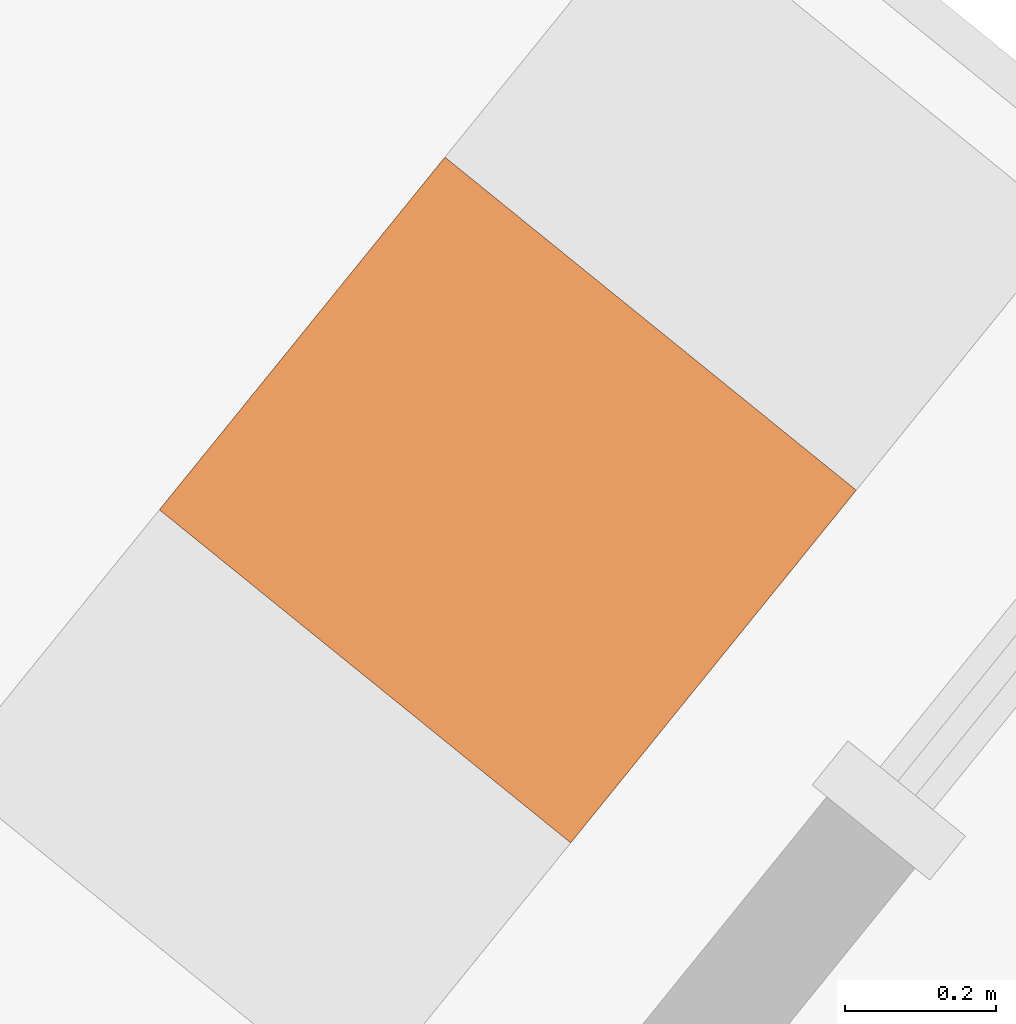
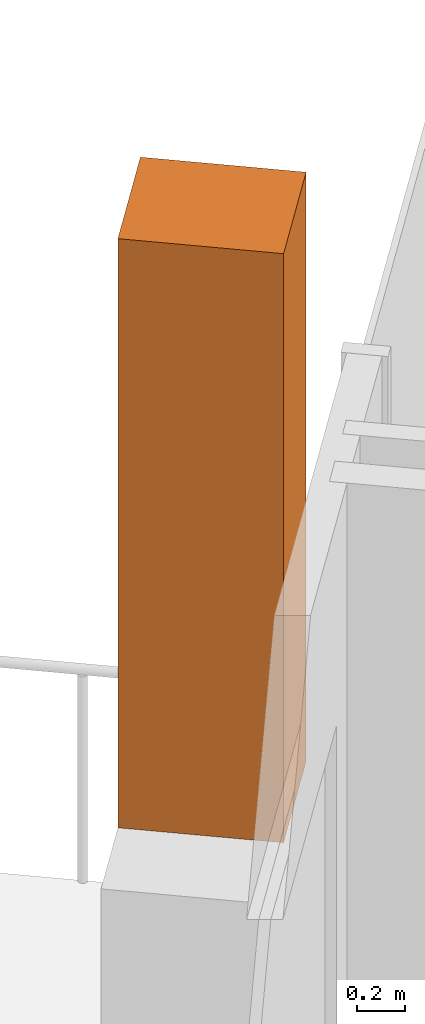
# One storey, part 21 of 21: 1 geographic element.
"""IFC4 building model written with IfcOpenShell, lengths in metres."""

import ifcopenshell
import ifcopenshell.guid

model = None  # the IFC model being written
_history = None  # IfcOwnerHistory: only IFC2X3 demands one
_inside = {}  # id of a spatial element -> (the spatial element, [elements in it])
_under = {}  # id of a project, library or spatial element -> (it, [spatial elements below it])
_declared = {}  # id of a project -> (the project, [libraries it declares])
_typed = {}  # id of a type object -> (the type object, [elements of that type])
_made_of = {}  # id of a material, layer set ... -> (it, [elements and type objects made of it])


def new_model(schema):
    """Start an empty IFC model of exactly this schema.

    Asked for "IFC4X3", IfcOpenShell would pick the latest addendum, in which some entities
    have other attributes; the version numbers below select the first issue.
    IFC2X3 requires an IfcOwnerHistory on every rooted entity: one is made here for all.
    """
    global model, _history
    if schema == "IFC4X3":
        model = ifcopenshell.file(schema_version=(4, 3, 0, 0))
    else:
        model = ifcopenshell.file(schema=schema)
    _inside.clear()
    _under.clear()
    _declared.clear()
    _typed.clear()
    _made_of.clear()
    _history = None
    if model.schema == "IFC2X3":
        org = make("IfcOrganization", Name="unknown")
        user = make(
            "IfcPersonAndOrganization",
            ThePerson=make("IfcPerson", FamilyName="unknown"),
            TheOrganization=org,
        )
        app = make(
            "IfcApplication",
            ApplicationDeveloper=org,
            Version="unknown",
            ApplicationFullName="unknown",
            ApplicationIdentifier="unknown",
        )
        _history = make(
            "IfcOwnerHistory",
            OwningUser=user,
            OwningApplication=app,
            ChangeAction="ADDED",
            CreationDate=0,
        )
    return model


def make(cls, **values):
    """One entity of the class cls with the attributes given. An attribute that is None is left unset."""
    return model.create_entity(
        cls, **{name: value for name, value in values.items() if value is not None}
    )


def rooted(cls, **values):
    """An entity with a GlobalId (a new one), such as an element, a storey or a relation."""
    return make(cls, GlobalId=ifcopenshell.guid.new(), OwnerHistory=_history, **values)


def si_unit(unit_type, name, prefix=None):
    """IfcSIUnit, for example si_unit("LENGTHUNIT", "METRE", prefix="MILLI")."""
    return make("IfcSIUnit", UnitType=unit_type, Prefix=prefix, Name=name)


def assignment(units):
    """IfcUnitAssignment: the units of a project."""
    return None if units is None else make("IfcUnitAssignment", Units=units)


def point(xyz):
    """IfcCartesianPoint."""
    return None if xyz is None else make("IfcCartesianPoint", Coordinates=xyz)


def direction(xyz):
    """IfcDirection."""
    return None if xyz is None else make("IfcDirection", DirectionRatios=xyz)


def frame(location, z_axis=None, x_axis=None):
    """IfcAxis2Placement3D, a coordinate frame: its origin and axes. An axis left out is left unset."""
    return make(
        "IfcAxis2Placement3D",
        Location=point(location),
        Axis=direction(z_axis),
        RefDirection=direction(x_axis),
    )


def frame_2d(location, x_axis=None):
    """IfcAxis2Placement2D, a coordinate frame in the plane: its origin and x axis."""
    return make(
        "IfcAxis2Placement2D", Location=point(location), RefDirection=direction(x_axis)
    )


def origin():
    """The frame at (0, 0, 0) with its axes left unset."""
    return frame((0.0, 0.0, 0.0))


def origin_2d():
    """The frame at (0, 0) in the plane with its x axis left unset."""
    return frame_2d((0.0, 0.0))


def place(relative_to, where):
    """IfcLocalPlacement: puts the frame where relative to a parent placement (None: the world)."""
    return make(
        "IfcLocalPlacement", PlacementRelTo=relative_to, RelativePlacement=where
    )


def context(
    kind, dimensions, precision=None, world=None, true_north=None, identifier=None
):
    """IfcGeometricRepresentationContext, for example the 3D "Model" context."""
    return make(
        "IfcGeometricRepresentationContext",
        ContextIdentifier=identifier,
        ContextType=kind,
        CoordinateSpaceDimension=dimensions,
        Precision=precision,
        WorldCoordinateSystem=world,
        TrueNorth=true_north,
    )


def subcontext(parent, identifier, kind, view, scale=None):
    """IfcGeometricRepresentationSubContext, for example "Body" below "Model"."""
    return make(
        "IfcGeometricRepresentationSubContext",
        ContextIdentifier=identifier,
        ContextType=kind,
        ParentContext=parent,
        TargetScale=scale,
        TargetView=view,
    )


def project(units=None, contexts=None):
    """IfcProject with its units and contexts."""
    return rooted(
        "IfcProject",
        Name="project",
        RepresentationContexts=contexts,
        UnitsInContext=assignment(units),
    )


def spatial(cls, under=None, at=None, **own):
    """A site, building, storey or space (cls), placed at a placement, below another one or the project."""
    s = rooted(cls, ObjectPlacement=at, **own)
    if under is not None:
        _under.setdefault(under.id(), (under, []))[1].append(s)
    return s


def profile(cls, at=None, kind="AREA", **sizes):
    """A parametric profile (cls). Its sizes go by their IFC names, for example OverallWidth=200.0."""
    return make(cls, ProfileType=kind, Position=at, **sizes)


def rectangle(**sizes):
    """IfcRectangleProfileDef."""
    return profile("IfcRectangleProfileDef", **sizes)


def extrude(swept, where, along, depth):
    """IfcExtrudedAreaSolid: the profile swept, set in the frame where, extruded along a direction by depth."""
    return make(
        "IfcExtrudedAreaSolid",
        SweptArea=swept,
        Position=where,
        ExtrudedDirection=direction(along),
        Depth=depth,
    )


def shape(context_of_items, identifier, shape_type, items):
    """IfcShapeRepresentation: the items that make up one representation, for example the "Body"."""
    return make(
        "IfcShapeRepresentation",
        ContextOfItems=context_of_items,
        RepresentationIdentifier=identifier,
        RepresentationType=shape_type,
        Items=items,
    )


def source(mapping_origin, context_of_items, identifier, shape_type, items):
    """IfcRepresentationMap: a shape defined once, which mapped items show again and again."""
    return make(
        "IfcRepresentationMap",
        MappingOrigin=mapping_origin,
        MappedRepresentation=shape(context_of_items, identifier, shape_type, items),
    )


def transform(
    local_origin,
    x_axis=None,
    y_axis=None,
    z_axis=None,
    scale=None,
    scale2=None,
    scale3=None,
    uniform=True,
):
    """IfcCartesianTransformationOperator3D, or its non-uniform kind. x_axis, y_axis, z_axis: its Axis1, 2, 3."""
    if uniform:
        return make(
            "IfcCartesianTransformationOperator3D",
            Axis1=direction(x_axis),
            Axis2=direction(y_axis),
            LocalOrigin=point(local_origin),
            Scale=scale,
            Axis3=direction(z_axis),
        )
    return make(
        "IfcCartesianTransformationOperator3DnonUniform",
        Axis1=direction(x_axis),
        Axis2=direction(y_axis),
        LocalOrigin=point(local_origin),
        Scale=scale,
        Axis3=direction(z_axis),
        Scale2=scale2,
        Scale3=scale3,
    )


def mapped(mapping_source, mapping_target):
    """IfcMappedItem: shows the shape of a source again, moved by a transform."""
    return make(
        "IfcMappedItem", MappingSource=mapping_source, MappingTarget=mapping_target
    )


def material(Name=None, Category=None):
    """IfcMaterial."""
    return make("IfcMaterial", Name=Name, Category=Category)


def made_of(thing, what):
    """Note that an element or type object is made of a material, layer set ...; save() writes the relation."""
    if what is not None:
        _made_of.setdefault(what.id(), (what, []))[1].append(thing)
    return thing


def type_object(cls, material=None, **own):
    """A type object (cls), such as IfcWallType, which elements share."""
    return made_of(rooted(cls, **own), material)


def element(
    cls,
    number,
    at=None,
    inside=None,
    cuts=None,
    type_object=None,
    material=None,
    context=None,
    identifier="Body",
    shape_type=None,
    held_by="IfcProductDefinitionShape",
    body=None,
    shapes=None,
    **own,
):
    """One element of the class cls, such as IfcWall. Its Tag is "e" and its number.

    at: its placement. inside: the storey or other place that contains it. cuts: it is an
    opening in that element (IfcRelVoidsElement). A single representation is given by context,
    identifier, shape_type and body (its items); several are given by shapes. held_by: the class
    of the entity that holds the representations. save() writes the other relations.
    """
    e = rooted(cls, Tag="e%d" % number, ObjectPlacement=at, **own)
    if body is not None:
        shapes = [shape(context, identifier, shape_type, body)]
    if shapes is not None:
        e.Representation = make(held_by, Representations=shapes)
    if inside is not None:
        _inside.setdefault(inside.id(), (inside, []))[1].append(e)
    if cuts is not None:
        rooted(
            "IfcRelVoidsElement", RelatingBuildingElement=cuts, RelatedOpeningElement=e
        )
    if type_object is not None:
        _typed.setdefault(type_object.id(), (type_object, []))[1].append(e)
    return made_of(e, material)


def aggregate(whole, parts):
    """IfcRelAggregates: a whole, such as a stair, and the parts it consists of."""
    return rooted("IfcRelAggregates", RelatingObject=whole, RelatedObjects=parts)


def save(model, path):
    """Write the relations noted so far, then the file.

    IfcRelAggregates (storeys below a building ...), IfcRelContainedInSpatialStructure (elements
    in a storey), IfcRelDefinesByType, IfcRelAssociatesMaterial and IfcRelDeclares: one each for
    every whole, place, type object, material and project.
    """
    for whole, parts in _under.values():
        aggregate(whole, parts)
    for where, things in _inside.values():
        rooted(
            "IfcRelContainedInSpatialStructure",
            RelatedElements=things,
            RelatingStructure=where,
        )
    for kind, things in _typed.values():
        rooted("IfcRelDefinesByType", RelatedObjects=things, RelatingType=kind)
    for what, things in _made_of.values():
        rooted("IfcRelAssociatesMaterial", RelatedObjects=things, RelatingMaterial=what)
    for by, libraries in _declared.values():
        rooted("IfcRelDeclares", RelatingContext=by, RelatedDefinitions=libraries)
    model.write(path)


model = new_model("IFC4")

# Units and contexts
model_context = context("Model", 3, precision=1e-05, world=origin(), true_north=direction((0.0, 1.0)))
body_context = subcontext(model_context, "Body", "Model", "MODEL_VIEW")
ifc_project = project(units=[si_unit("LENGTHUNIT", "METRE"), si_unit("AREAUNIT", "SQUARE_METRE"), si_unit("VOLUMEUNIT", "CUBIC_METRE"), si_unit("PLANEANGLEUNIT", "RADIAN"), si_unit("MASSUNIT", "GRAM", prefix="KILO")], contexts=[model_context])

# Site, building, storey
site_placement = place(None, origin())
site = spatial("IfcSite", under=ifc_project, at=site_placement, CompositionType="ELEMENT")
building_placement = place(site_placement, origin())
building = spatial("IfcBuilding", under=site, at=building_placement, Name="Triune Harvest Tower", CompositionType="ELEMENT")
storey_placement = place(building_placement, frame((0.0, 0.0, 160.5)))
storey = spatial("IfcBuildingStorey", under=building, at=storey_placement, Name="L41", CompositionType="ELEMENT", Elevation=160.5)

# Geographic element
ifc_material = material(Name="TREE-1 tree")
geographic_element_type = type_object("IfcGeographicElementType", Name="TREE-1 tree", PredefinedType="USERDEFINED", material=ifc_material)
shared_shape = source(origin(), body_context, "Body", "SweptSolid", [
    extrude(rectangle(XDim=0.60009765625, YDim=0.699951171875, at=origin_2d()), origin(), (0.0, 0.0, 1.0), 3.0),
])
geographic_element_placement = place(storey_placement, frame((-6.447021484375, 26.997802734375, 1.10009765625), z_axis=(0.0, 0.0, 1.0), x_axis=(-0.629321459087, -0.777145096577, 0.0)))
element("IfcGeographicElement", 1, at=geographic_element_placement, inside=storey, type_object=geographic_element_type, Name="Tree B4-F3 L41.3a", ObjectType="TREE", PredefinedType="USERDEFINED", context=body_context, shape_type="MappedRepresentation", body=[
    mapped(shared_shape, transform((0.0, 0.0, 0.0), scale=1.0)),
])

save(model, "model.ifc")
